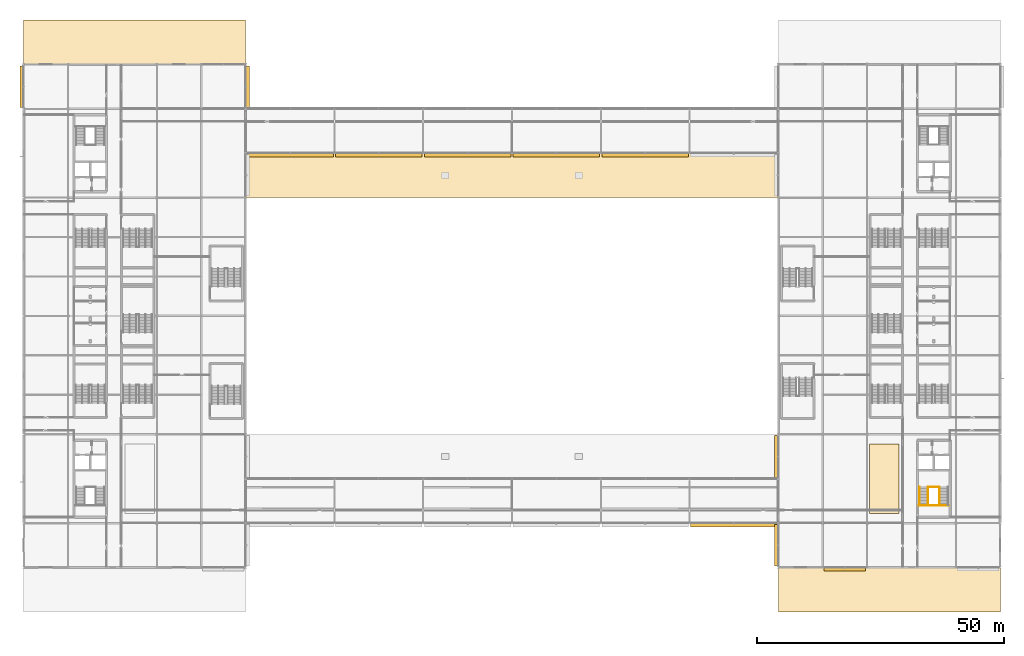
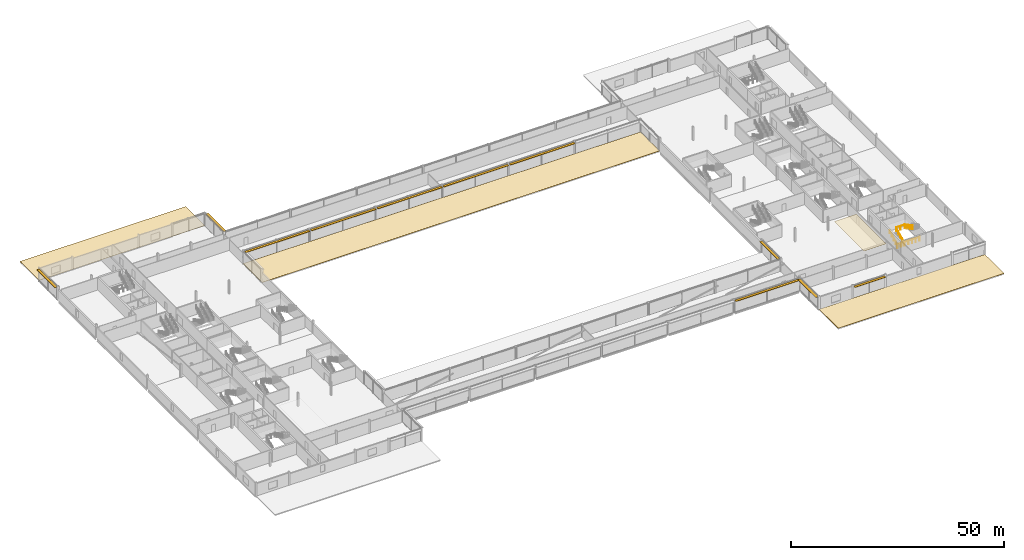
# One storey, part 100 of 105: 11 shading devices, 4 coverings, 3 railings, 3 elements without a shape of their own.
"""IFC4 building model written with IfcOpenShell, lengths in metres."""

import ifcopenshell
import ifcopenshell.guid

model = None  # the IFC model being written
_history = None  # IfcOwnerHistory: only IFC2X3 demands one
_inside = {}  # id of a spatial element -> (the spatial element, [elements in it])
_under = {}  # id of a project, library or spatial element -> (it, [spatial elements below it])
_declared = {}  # id of a project -> (the project, [libraries it declares])
_typed = {}  # id of a type object -> (the type object, [elements of that type])
_made_of = {}  # id of a material, layer set ... -> (it, [elements and type objects made of it])


def new_model(schema):
    """Start an empty IFC model of exactly this schema.

    Asked for "IFC4X3", IfcOpenShell would pick the latest addendum, in which some entities
    have other attributes; the version numbers below select the first issue.
    IFC2X3 requires an IfcOwnerHistory on every rooted entity: one is made here for all.
    """
    global model, _history
    if schema == "IFC4X3":
        model = ifcopenshell.file(schema_version=(4, 3, 0, 0))
    else:
        model = ifcopenshell.file(schema=schema)
    _inside.clear()
    _under.clear()
    _declared.clear()
    _typed.clear()
    _made_of.clear()
    _history = None
    if model.schema == "IFC2X3":
        org = make("IfcOrganization", Name="unknown")
        user = make(
            "IfcPersonAndOrganization",
            ThePerson=make("IfcPerson", FamilyName="unknown"),
            TheOrganization=org,
        )
        app = make(
            "IfcApplication",
            ApplicationDeveloper=org,
            Version="unknown",
            ApplicationFullName="unknown",
            ApplicationIdentifier="unknown",
        )
        _history = make(
            "IfcOwnerHistory",
            OwningUser=user,
            OwningApplication=app,
            ChangeAction="ADDED",
            CreationDate=0,
        )
    return model


def make(cls, **values):
    """One entity of the class cls with the attributes given. An attribute that is None is left unset."""
    return model.create_entity(
        cls, **{name: value for name, value in values.items() if value is not None}
    )


def rooted(cls, **values):
    """An entity with a GlobalId (a new one), such as an element, a storey or a relation."""
    return make(cls, GlobalId=ifcopenshell.guid.new(), OwnerHistory=_history, **values)


def si_unit(unit_type, name, prefix=None):
    """IfcSIUnit, for example si_unit("LENGTHUNIT", "METRE", prefix="MILLI")."""
    return make("IfcSIUnit", UnitType=unit_type, Prefix=prefix, Name=name)


def assignment(units):
    """IfcUnitAssignment: the units of a project."""
    return None if units is None else make("IfcUnitAssignment", Units=units)


def point(xyz):
    """IfcCartesianPoint."""
    return None if xyz is None else make("IfcCartesianPoint", Coordinates=xyz)


def direction(xyz):
    """IfcDirection."""
    return None if xyz is None else make("IfcDirection", DirectionRatios=xyz)


def frame(location, z_axis=None, x_axis=None):
    """IfcAxis2Placement3D, a coordinate frame: its origin and axes. An axis left out is left unset."""
    return make(
        "IfcAxis2Placement3D",
        Location=point(location),
        Axis=direction(z_axis),
        RefDirection=direction(x_axis),
    )


def frame_2d(location, x_axis=None):
    """IfcAxis2Placement2D, a coordinate frame in the plane: its origin and x axis."""
    return make(
        "IfcAxis2Placement2D", Location=point(location), RefDirection=direction(x_axis)
    )


def origin():
    """The frame at (0, 0, 0) with its axes left unset."""
    return frame((0.0, 0.0, 0.0))


def origin_2d():
    """The frame at (0, 0) in the plane with its x axis left unset."""
    return frame_2d((0.0, 0.0))


def place(relative_to, where):
    """IfcLocalPlacement: puts the frame where relative to a parent placement (None: the world)."""
    return make(
        "IfcLocalPlacement", PlacementRelTo=relative_to, RelativePlacement=where
    )


def context(
    kind, dimensions, precision=None, world=None, true_north=None, identifier=None
):
    """IfcGeometricRepresentationContext, for example the 3D "Model" context."""
    return make(
        "IfcGeometricRepresentationContext",
        ContextIdentifier=identifier,
        ContextType=kind,
        CoordinateSpaceDimension=dimensions,
        Precision=precision,
        WorldCoordinateSystem=world,
        TrueNorth=true_north,
    )


def subcontext(parent, identifier, kind, view, scale=None):
    """IfcGeometricRepresentationSubContext, for example "Body" below "Model"."""
    return make(
        "IfcGeometricRepresentationSubContext",
        ContextIdentifier=identifier,
        ContextType=kind,
        ParentContext=parent,
        TargetScale=scale,
        TargetView=view,
    )


def project(units=None, contexts=None):
    """IfcProject with its units and contexts."""
    return rooted(
        "IfcProject",
        Name="project",
        RepresentationContexts=contexts,
        UnitsInContext=assignment(units),
    )


def spatial(cls, under=None, at=None, **own):
    """A site, building, storey or space (cls), placed at a placement, below another one or the project."""
    s = rooted(cls, ObjectPlacement=at, **own)
    if under is not None:
        _under.setdefault(under.id(), (under, []))[1].append(s)
    return s


def polyline(points):
    """IfcPolyline through the points."""
    return make("IfcPolyline", Points=[point(p) for p in points])


def profile(cls, at=None, kind="AREA", **sizes):
    """A parametric profile (cls). Its sizes go by their IFC names, for example OverallWidth=200.0."""
    return make(cls, ProfileType=kind, Position=at, **sizes)


def rectangle(**sizes):
    """IfcRectangleProfileDef."""
    return profile("IfcRectangleProfileDef", **sizes)


def circle(**sizes):
    """IfcCircleProfileDef."""
    return profile("IfcCircleProfileDef", **sizes)


def outline(outer, holes=None, kind="AREA"):
    """IfcArbitraryClosedProfileDef: a profile drawn as a closed curve; with holes, ...WithVoids."""
    if holes is None:
        return make("IfcArbitraryClosedProfileDef", ProfileType=kind, OuterCurve=outer)
    return make(
        "IfcArbitraryProfileDefWithVoids",
        ProfileType=kind,
        OuterCurve=outer,
        InnerCurves=holes,
    )


def extrude(swept, where, along, depth):
    """IfcExtrudedAreaSolid: the profile swept, set in the frame where, extruded along a direction by depth."""
    return make(
        "IfcExtrudedAreaSolid",
        SweptArea=swept,
        Position=where,
        ExtrudedDirection=direction(along),
        Depth=depth,
    )


def shape(context_of_items, identifier, shape_type, items):
    """IfcShapeRepresentation: the items that make up one representation, for example the "Body"."""
    return make(
        "IfcShapeRepresentation",
        ContextOfItems=context_of_items,
        RepresentationIdentifier=identifier,
        RepresentationType=shape_type,
        Items=items,
    )


def material(Name=None, Category=None):
    """IfcMaterial."""
    return make("IfcMaterial", Name=Name, Category=Category)


def layer(
    of_material, thickness, ventilated=None, Name=None, Category=None, Priority=None
):
    """IfcMaterialLayer: one layer of a wall or slab, of a material (None: an air gap)."""
    return make(
        "IfcMaterialLayer",
        Material=of_material,
        LayerThickness=thickness,
        IsVentilated=ventilated,
        Name=Name,
        Category=Category,
        Priority=Priority,
    )


def layer_set(layers, Name=None):
    """IfcMaterialLayerSet."""
    return make("IfcMaterialLayerSet", MaterialLayers=layers, LayerSetName=Name)


def made_of(thing, what):
    """Note that an element or type object is made of a material, layer set ...; save() writes the relation."""
    if what is not None:
        _made_of.setdefault(what.id(), (what, []))[1].append(thing)
    return thing


def type_object(cls, material=None, **own):
    """A type object (cls), such as IfcWallType, which elements share."""
    return made_of(rooted(cls, **own), material)


def element(
    cls,
    number,
    at=None,
    inside=None,
    cuts=None,
    type_object=None,
    material=None,
    context=None,
    identifier="Body",
    shape_type=None,
    held_by="IfcProductDefinitionShape",
    body=None,
    shapes=None,
    **own,
):
    """One element of the class cls, such as IfcWall. Its Tag is "e" and its number.

    at: its placement. inside: the storey or other place that contains it. cuts: it is an
    opening in that element (IfcRelVoidsElement). A single representation is given by context,
    identifier, shape_type and body (its items); several are given by shapes. held_by: the class
    of the entity that holds the representations. save() writes the other relations.
    """
    e = rooted(cls, Tag="e%d" % number, ObjectPlacement=at, **own)
    if body is not None:
        shapes = [shape(context, identifier, shape_type, body)]
    if shapes is not None:
        e.Representation = make(held_by, Representations=shapes)
    if inside is not None:
        _inside.setdefault(inside.id(), (inside, []))[1].append(e)
    if cuts is not None:
        rooted(
            "IfcRelVoidsElement", RelatingBuildingElement=cuts, RelatedOpeningElement=e
        )
    if type_object is not None:
        _typed.setdefault(type_object.id(), (type_object, []))[1].append(e)
    return made_of(e, material)


def aggregate(whole, parts):
    """IfcRelAggregates: a whole, such as a stair, and the parts it consists of."""
    return rooted("IfcRelAggregates", RelatingObject=whole, RelatedObjects=parts)


def save(model, path):
    """Write the relations noted so far, then the file.

    IfcRelAggregates (storeys below a building ...), IfcRelContainedInSpatialStructure (elements
    in a storey), IfcRelDefinesByType, IfcRelAssociatesMaterial and IfcRelDeclares: one each for
    every whole, place, type object, material and project.
    """
    for whole, parts in _under.values():
        aggregate(whole, parts)
    for where, things in _inside.values():
        rooted(
            "IfcRelContainedInSpatialStructure",
            RelatedElements=things,
            RelatingStructure=where,
        )
    for kind, things in _typed.values():
        rooted("IfcRelDefinesByType", RelatedObjects=things, RelatingType=kind)
    for what, things in _made_of.values():
        rooted("IfcRelAssociatesMaterial", RelatedObjects=things, RelatingMaterial=what)
    for by, libraries in _declared.values():
        rooted("IfcRelDeclares", RelatingContext=by, RelatedDefinitions=libraries)
    model.write(path)


model = new_model("IFC4")

# Units and contexts
model_context = context("Model", 3, precision=1e-05, world=origin(), true_north=direction((0.0, 1.0)))
body_context = subcontext(model_context, "Body", "Model", "MODEL_VIEW")
ifc_project = project(units=[si_unit("LENGTHUNIT", "METRE"), si_unit("AREAUNIT", "SQUARE_METRE"), si_unit("VOLUMEUNIT", "CUBIC_METRE"), si_unit("PLANEANGLEUNIT", "RADIAN"), si_unit("MASSUNIT", "GRAM", prefix="KILO")], contexts=[model_context])

# Site, building, storey
site_placement = place(None, origin())
site = spatial("IfcSite", under=ifc_project, at=site_placement, CompositionType="ELEMENT")
building_placement = place(site_placement, origin())
building = spatial("IfcBuilding", under=site, at=building_placement, Name="Kisiwana Market Hall", CompositionType="ELEMENT")
storey_placement = place(building_placement, frame((0.0, 0.0, 21.60009765625)))
storey = spatial("IfcBuildingStorey", under=building, at=storey_placement, Name="L04", CompositionType="ELEMENT", Elevation=21.60009765625)

# Covering
ifc_material_1 = material(Name="Mineral-fibre acoustic ceiling board")
ifc_layer_1 = layer(ifc_material_1, 0.02490234375)
ifc_layer_set_1 = layer_set([ifc_layer_1], Name="COV-CEIL-AC")
covering_type_1 = type_object("IfcCoveringType", Name="COV-CEIL-AC", PredefinedType="CEILING", material=ifc_layer_set_1)
covering_1_placement = place(storey_placement, frame((0.0, 0.0, 3.559814453125)))
element("IfcCovering", 1, at=covering_1_placement, inside=storey, type_object=covering_type_1, Name="Acoustic ceiling grid L04-014", PredefinedType="CEILING", context=body_context, shape_type="SweptSolid", body=[
    extrude(outline(polyline([(171.5, 20.0), (177.5, 20.0), (177.5, 34.0), (171.5, 34.0), (171.5, 20.0)])), origin(), (0.0, 0.0, 1.0), 0.025146484375),
])

# Roof, covering
ifc_material_2 = material(Name="Concrete C32/40", Category="concrete")
ifc_layer_2 = layer(ifc_material_2, 0.22998046875)
ifc_layer_set_2 = layer_set([ifc_layer_2], Name="RF-CROWN-FLAT")
roof_type = type_object("IfcRoofType", Name="RF-CROWN-FLAT", PredefinedType="FLAT_ROOF", material=ifc_layer_set_2)
roof_1_placement = place(storey_placement, origin())
roof_1 = element("IfcRoof", 2, at=roof_1_placement, inside=storey, type_object=roof_type, Name="Flat roof assembly RF-L03-WN", PredefinedType="FLAT_ROOF")
ifc_material_3 = material(Name="Aluminium alloy 3003 standing-seam sheet", Category="aluminium")
ifc_layer_3 = layer(ifc_material_3, 0.034912109375)
ifc_layer_set_3 = layer_set([ifc_layer_3], Name="COV-ROOF-SEAM")
covering_type_2 = type_object("IfcCoveringType", Name="COV-ROOF-SEAM", PredefinedType="ROOFING", material=ifc_layer_set_3)
covering_2_placement = place(storey_placement, origin())
covering_2 = element("IfcCovering", 3, at=covering_2_placement, type_object=covering_type_2, Name="Standing-seam roof membrane RF-L03-WN", PredefinedType="ROOFING", context=body_context, shape_type="SweptSolid", body=[
    extrude(outline(polyline([(0.0, 111.0), (45.0, 111.0), (45.0, 120.0), (0.0, 120.0), (0.0, 111.0)])), origin(), (0.0, 0.0, 1.0), 0.034912109375),
])
aggregate(roof_1, [covering_2])

roof_2_placement = place(storey_placement, origin())
roof_2 = element("IfcRoof", 4, at=roof_2_placement, inside=storey, type_object=roof_type, Name="Flat roof assembly RF-L03-ES", PredefinedType="FLAT_ROOF")
covering_3_placement = place(storey_placement, origin())
covering_3 = element("IfcCovering", 5, at=covering_3_placement, type_object=covering_type_2, Name="Standing-seam roof membrane RF-L03-ES", PredefinedType="ROOFING", context=body_context, shape_type="SweptSolid", body=[
    extrude(outline(polyline([(153.0, 0.0), (198.0, 0.0), (198.0, 9.0), (153.0, 9.0), (153.0, 0.0)])), origin(), (0.0, 0.0, 1.0), 0.034912109375),
])
aggregate(roof_2, [covering_3])

roof_3_placement = place(storey_placement, origin())
roof_3 = element("IfcRoof", 6, at=roof_3_placement, inside=storey, type_object=roof_type, Name="Flat roof assembly RF-L03-NC", PredefinedType="FLAT_ROOF")
covering_4_placement = place(storey_placement, origin())
covering_4 = element("IfcCovering", 7, at=covering_4_placement, type_object=covering_type_2, Name="Standing-seam roof membrane RF-L03-NC", PredefinedType="ROOFING", context=body_context, shape_type="SweptSolid", body=[
    extrude(outline(polyline([(45.0, 84.0), (153.0, 84.0), (153.0, 93.0), (45.0, 93.0), (45.0, 84.0)])), origin(), (0.0, 0.0, 1.0), 0.034912109375),
])
aggregate(roof_3, [covering_4])

# Railings
ifc_material_4 = material(Name="Steel S275", Category="steel")
railing_type_1 = type_object("IfcRailingType", Name="RL-GUARD-1100", PredefinedType="GUARDRAIL", material=ifc_material_4)
railing_1_placement = place(storey_placement, frame((183.35009765625, 21.6494140625, 0.0)))
element("IfcRailing", 8, at=railing_1_placement, inside=storey, type_object=railing_type_1, Name="Stair ST-E2-L04 inner-well guardrail (RL-759)", PredefinedType="GUARDRAIL", context=body_context, shape_type="SweptSolid", body=[
    extrude(circle(Radius=0.02392578125, at=origin_2d()), frame((0.0, 0.0, 1.076171875), z_axis=(0.0, 0.882566327451, 0.470187917379), x_axis=(-1.0, 0.0, 0.0)), (0.0, 0.0, 1.0), 4.147216796875),
    extrude(circle(Radius=0.02392578125, at=origin_2d()), frame((0.0, 3.66015625, 3.02587890625), z_axis=(1.0, 0.0, 0.0), x_axis=(0.0, 1.0, 0.0)), (0.0, 0.0, 1.0), 2.2998046875),
    extrude(circle(Radius=0.02392578125, at=origin_2d()), frame((2.2998046875, 3.66015625, 3.02587890625), z_axis=(0.0, -0.882566327451, 0.470187917379), x_axis=(1.0, 0.0, 0.0)), (0.0, 0.0, 1.0), 4.147216796875),
    extrude(circle(Radius=0.02099609375, at=origin_2d()), origin(), (0.0, 0.0, 1.0), 1.052001953125),
    extrude(circle(Radius=0.02099609375, at=origin_2d()), frame((0.0, 0.9150390625, 0.487548828125)), (0.0, 0.0, 1.0), 1.052001953125),
    extrude(circle(Radius=0.02099609375, at=origin_2d()), frame((0.0, 1.830078125, 0.97509765625)), (0.0, 0.0, 1.0), 1.052001953125),
    extrude(circle(Radius=0.02099609375, at=origin_2d()), frame((0.0, 2.7451171875, 1.46240234375)), (0.0, 0.0, 1.0), 1.052001953125),
    extrude(circle(Radius=0.02099609375, at=origin_2d()), frame((0.0, 3.66015625, 1.949951171875)), (0.0, 0.0, 1.0), 1.052001953125),
    extrude(circle(Radius=0.02099609375, at=origin_2d()), frame((1.14990234375, 3.66015625, 1.949951171875)), (0.0, 0.0, 1.0), 1.052001953125),
    extrude(circle(Radius=0.02099609375, at=origin_2d()), frame((2.2998046875, 3.66015625, 1.949951171875)), (0.0, 0.0, 1.0), 1.052001953125),
    extrude(circle(Radius=0.02099609375, at=origin_2d()), frame((2.2998046875, 2.7451171875, 2.4375)), (0.0, 0.0, 1.0), 1.052001953125),
    extrude(circle(Radius=0.02099609375, at=origin_2d()), frame((2.2998046875, 1.830078125, 2.9248046875)), (0.0, 0.0, 1.0), 1.052001953125),
    extrude(circle(Radius=0.02099609375, at=origin_2d()), frame((2.2998046875, 0.9150390625, 3.412353515625)), (0.0, 0.0, 1.0), 1.052001953125),
    extrude(circle(Radius=0.02099609375, at=origin_2d()), frame((2.2998046875, 0.0, 3.89990234375)), (0.0, 0.0, 1.0), 1.052001953125),
])
railing_2_placement = place(storey_placement, frame((181.47998046875, 21.569580078125, 0.0)))
element("IfcRailing", 9, at=railing_2_placement, inside=storey, type_object=railing_type_1, Name="Stair ST-E2-L04 landing edge guardrail (RL-762)", PredefinedType="GUARDRAIL", context=body_context, shape_type="SweptSolid", body=[
    extrude(circle(Radius=0.02392578125, at=origin_2d()), frame((0.0, 0.0, 1.076171875), z_axis=(1.0, 0.0, 0.0), x_axis=(0.0, 1.0, 0.0)), (0.0, 0.0, 1.0), 6.0400390625),
    extrude(circle(Radius=0.02099609375, at=origin_2d()), origin(), (0.0, 0.0, 1.0), 1.052001953125),
    extrude(circle(Radius=0.02099609375, at=origin_2d()), frame((1.006591796875, 0.0, 0.0)), (0.0, 0.0, 1.0), 1.052001953125),
    extrude(circle(Radius=0.02099609375, at=origin_2d()), frame((2.013427734375, 0.0, 0.0)), (0.0, 0.0, 1.0), 1.052001953125),
    extrude(circle(Radius=0.02099609375, at=origin_2d()), frame((3.02001953125, 0.0, 0.0)), (0.0, 0.0, 1.0), 1.052001953125),
    extrude(circle(Radius=0.02099609375, at=origin_2d()), frame((4.026611328125, 0.0, 0.0)), (0.0, 0.0, 1.0), 1.052001953125),
    extrude(circle(Radius=0.02099609375, at=origin_2d()), frame((5.033447265625, 0.0, 0.0)), (0.0, 0.0, 1.0), 1.052001953125),
    extrude(circle(Radius=0.02099609375, at=origin_2d()), frame((6.0400390625, 0.0, 0.0)), (0.0, 0.0, 1.0), 1.052001953125),
])
ifc_material_5 = material(Name="Steel S275", Category="steel")
railing_type_2 = type_object("IfcRailingType", Name="RL-HAND-900", PredefinedType="HANDRAIL", material=ifc_material_5)
railing_3_placement = place(storey_placement, frame((181.610107421875, 21.6494140625, 0.0)))
element("IfcRailing", 10, at=railing_3_placement, inside=storey, type_object=railing_type_2, Name="Stair ST-E2-L04 flight 1 handrail (RL-760)", PredefinedType="HANDRAIL", context=body_context, shape_type="SweptSolid", body=[
    extrude(circle(Radius=0.02392578125, at=origin_2d()), frame((0.0, 0.0, 0.8759765625), z_axis=(0.0, 0.882566327451, 0.470187917379), x_axis=(-1.0, 0.0, 0.0)), (0.0, 0.0, 1.0), 4.147216796875),
    extrude(circle(Radius=0.02099609375, at=origin_2d()), origin(), (0.0, 0.0, 1.0), 0.851806640625),
    extrude(circle(Radius=0.02099609375, at=origin_2d()), frame((0.0, 0.9150390625, 0.487548828125)), (0.0, 0.0, 1.0), 0.851806640625),
    extrude(circle(Radius=0.02099609375, at=origin_2d()), frame((0.0, 1.830078125, 0.97509765625)), (0.0, 0.0, 1.0), 0.851806640625),
    extrude(circle(Radius=0.02099609375, at=origin_2d()), frame((0.0, 2.7451171875, 1.46240234375)), (0.0, 0.0, 1.0), 0.851806640625),
    extrude(circle(Radius=0.02099609375, at=origin_2d()), frame((0.0, 3.66015625, 1.949951171875)), (0.0, 0.0, 1.0), 0.851806640625),
])

# Shading devices
ifc_material_6 = material(Name="Aluminium alloy 6063-T6", Category="aluminium")
shading_device_type = type_object("IfcShadingDeviceType", Name="SHD-JALOUSIE-H", PredefinedType="JALOUSIE", material=ifc_material_6)
shading_device_placement = place(storey_placement, frame((166.494384765625, 8.580078125, 3.40478515625), z_axis=(0.0, 0.0, 1.0), x_axis=(1.0, 0.0, 0.0)))
element("IfcShadingDevice", 11, at=shading_device_placement, inside=storey, type_object=shading_device_type, Name="Aluminium brise-soleil louvre SHD-072 SD-072", PredefinedType="JALOUSIE", context=body_context, shape_type="SweptSolid", body=[
    extrude(rectangle(XDim=8.416259765625, YDim=0.64990234375, at=origin_2d()), origin(), (0.0, 0.0, 1.0), 0.1201171875),
])
for number, where, z_axis, x_axis, name in (
    (12, (143.969482421875, 17.580078125, 3.40478515625), (0.0, 0.0, 1.0), (1.0, 0.0, 0.0), "Aluminium brise-soleil louvre SHD-079 SD-079"),
    (13, (54.03076171875, 92.580078125, 3.40478515625), (0.0, 0.0, 1.0), (1.0, 0.0, 0.0), "Aluminium brise-soleil louvre SHD-080 SD-080"),
):
    element("IfcShadingDevice", number, at=place(storey_placement, frame(where, z_axis=z_axis, x_axis=x_axis)), inside=storey, type_object=shading_device_type, Name=name, PredefinedType="JALOUSIE", context=body_context, shape_type="SweptSolid", body=[
        extrude(rectangle(XDim=17.48876953125, YDim=0.64990234375, at=origin_2d()), origin(), (0.0, 0.0, 1.0), 0.1201171875),
    ])
for number, where, z_axis, x_axis, name in (
    (14, (72.0, 92.580078125, 3.40478515625), (0.0, 0.0, 1.0), (1.0, 0.0, 0.0), "Aluminium brise-soleil louvre SHD-081 SD-081"),
    (15, (90.0, 92.580078125, 3.40478515625), (0.0, 0.0, 1.0), (1.0, 0.0, 0.0), "Aluminium brise-soleil louvre SHD-082 SD-082"),
    (16, (108.0, 92.580078125, 3.40478515625), (0.0, 0.0, 1.0), (1.0, 0.0, 0.0), "Aluminium brise-soleil louvre SHD-083 SD-083"),
    (17, (126.0, 92.580078125, 3.40478515625), (0.0, 0.0, 1.0), (1.0, 0.0, 0.0), "Aluminium brise-soleil louvre SHD-084 SD-084"),
):
    element("IfcShadingDevice", number, at=place(storey_placement, frame(where, z_axis=z_axis, x_axis=x_axis)), inside=storey, type_object=shading_device_type, Name=name, PredefinedType="JALOUSIE", context=body_context, shape_type="SweptSolid", body=[
        extrude(rectangle(XDim=17.550048828125, YDim=0.64990234375, at=origin_2d()), origin(), (0.0, 0.0, 1.0), 0.1201171875),
    ])
for number, where, z_axis, x_axis, name in (
    (18, (-0.419921875, 106.5, 3.40478515625), (0.0, 0.0, 1.0), (0.0, 1.0, 0.0), "Aluminium brise-soleil louvre SHD-088 SD-088"),
    (19, (45.419921875, 106.5, 3.40478515625), (0.0, 0.0, 1.0), (0.0, 1.0, 0.0), "Aluminium brise-soleil louvre SHD-092 SD-092"),
    (20, (152.580078125, 13.5, 3.40478515625), (0.0, 0.0, 1.0), (0.0, 1.0, 0.0), "Aluminium brise-soleil louvre SHD-093 SD-093"),
    (21, (152.580078125, 31.5, 3.40478515625), (0.0, 0.0, 1.0), (0.0, 1.0, 0.0), "Aluminium brise-soleil louvre SHD-094 SD-094"),
):
    element("IfcShadingDevice", number, at=place(storey_placement, frame(where, z_axis=z_axis, x_axis=x_axis)), inside=storey, type_object=shading_device_type, Name=name, PredefinedType="JALOUSIE", context=body_context, shape_type="SweptSolid", body=[
        extrude(rectangle(XDim=8.431884765625, YDim=0.64990234375, at=origin_2d()), origin(), (0.0, 0.0, 1.0), 0.1201171875),
    ])

save(model, "model.ifc")
